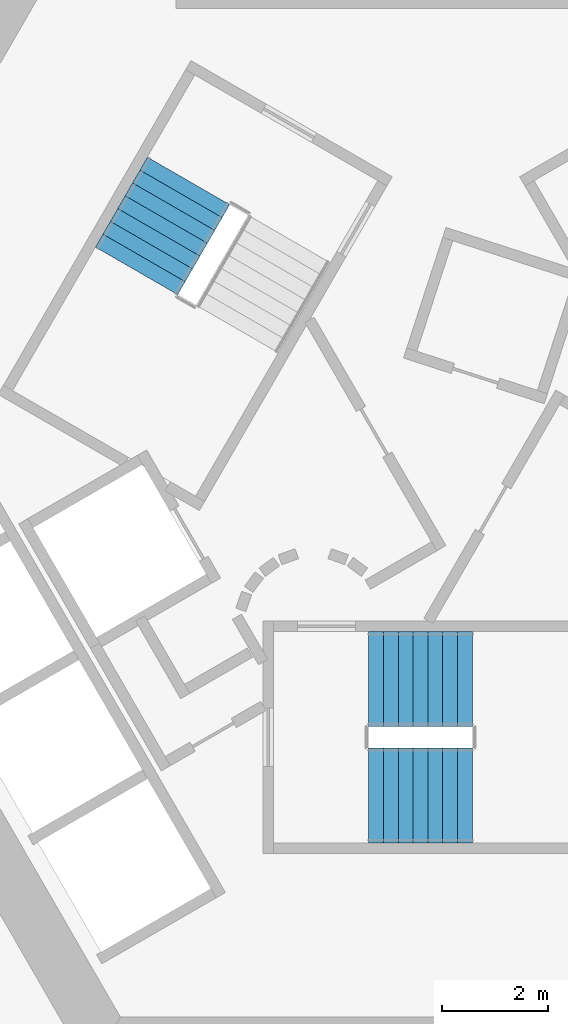
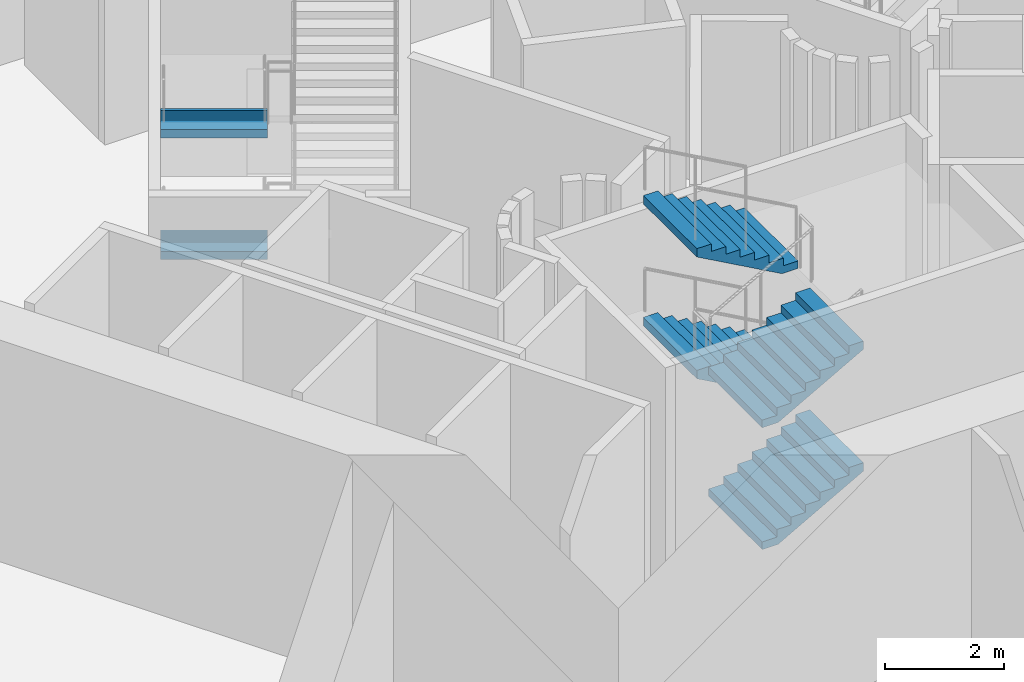
# One storey, part 10 of 16: 6 stair flights, 2 elements without a shape of their own.
"""IFC4 building model written with IfcOpenShell, lengths in metres."""

from ifc_helpers import new_model, si_unit, direction, frame, origin, place, context, subcontext, project, spatial, triangles, material, type_object, element, aggregate, save


model = new_model("IFC4")

# Units and contexts
model_context = context("Model", 3, precision=1e-05, world=origin(), true_north=direction((0.0, 1.0)))
body_context = subcontext(model_context, "Body", "Model", "MODEL_VIEW")
ifc_project = project(units=[si_unit("LENGTHUNIT", "METRE"), si_unit("AREAUNIT", "SQUARE_METRE"), si_unit("VOLUMEUNIT", "CUBIC_METRE"), si_unit("PLANEANGLEUNIT", "RADIAN"), si_unit("MASSUNIT", "GRAM", prefix="KILO")], contexts=[model_context])

# Site, building, storey
site_placement = place(None, origin())
site = spatial("IfcSite", under=ifc_project, at=site_placement, CompositionType="ELEMENT")
building_placement = place(site_placement, origin())
building = spatial("IfcBuilding", under=site, at=building_placement, Name="Entoto Arch Interchange Tower", CompositionType="ELEMENT")
storey_placement = place(building_placement, frame((0.0, 0.0, 15.0)))
storey = spatial("IfcBuildingStorey", under=building, at=storey_placement, Name="L02", CompositionType="ELEMENT", Elevation=15.0)

# Stair, stair flights
ifc_material = material(Name="Concrete C40/50", Category="concrete")
stair_type = type_object("IfcStairType", Name="EXIT STAIR RC 1800", PredefinedType="HALF_TURN_STAIR", material=ifc_material)
stair_1_placement = place(storey_placement, origin())
stair_1 = element("IfcStair", 1, at=stair_1_placement, inside=storey, type_object=stair_type, Name="L02 Exit stair S", PredefinedType="HALF_TURN_STAIR")
stair_flight_type = type_object("IfcStairFlightType", Name="EXIT STAIR FLIGHT RC 1800", PredefinedType="STRAIGHT", material=ifc_material)
stair_flight_1_placement = place(storey_placement, frame((-1.64990234375, -4.300048828125, 0.0), z_axis=(0.0, 0.0, 1.0), x_axis=(1.0, 0.0, 0.0)))
stair_flight_1 = element("IfcStairFlight", 2, at=stair_flight_1_placement, type_object=stair_flight_type, Name="ST-S flight 1", NumberOfRisers=8, NumberOfTreads=7, PredefinedType="STRAIGHT", RiserHeight=0.15625, TreadLength=0.28, context=body_context, shape_type="Tessellation", body=[
    triangles([(-0.003, -0.900024, 0.0), (-0.003, -0.900024, 0.15625), (0.28, -0.900024, 0.15625), (0.28, -0.900024, 0.3125), (0.56, -0.900024, 0.3125), (0.56, -0.900024, 0.46875), (0.84, -0.900024, 0.46875), (0.84, -0.900024, 0.625), (1.12, -0.900024, 0.625), (1.12, -0.900024, 0.78125), (1.4, -0.900024, 0.78125), (1.4, -0.900024, 0.9375), (1.68, -0.900024, 0.9375), (1.68, -0.900024, 1.09375), (1.96, -0.900024, 1.09375), (1.963, -0.900024, 1.09375), (1.963, -0.900024, 0.923761), (0.30762, -0.900024, 0.0), (-0.003, 0.900024, 0.0), (-0.003, 0.900024, 0.15625), (0.28, 0.900024, 0.15625), (0.28, 0.900024, 0.3125), (0.56, 0.900024, 0.3125), (0.56, 0.900024, 0.46875), (0.84, 0.900024, 0.46875), (0.84, 0.900024, 0.625), (1.12, 0.900024, 0.625), (1.12, 0.900024, 0.78125), (1.4, 0.900024, 0.78125), (1.4, 0.900024, 0.9375), (1.68, 0.900024, 0.9375), (1.68, 0.900024, 1.09375), (1.96, 0.900024, 1.09375), (1.963, 0.900024, 1.09375), (1.963, 0.900024, 0.923761), (0.30762, 0.900024, 0.0), (-0.003, -0.450012, 0.0), (-0.003, -0.450012, 0.15625), (-0.003, 0.0, 0.0), (-0.003, 0.0, 0.15625), (-0.003, 0.450012, 0.0), (-0.003, 0.450012, 0.15625), (0.28, -0.450012, 0.15625), (0.28, 0.0, 0.15625), (0.28, 0.450012, 0.15625), (0.28, -0.450012, 0.3125), (0.28, 0.0, 0.3125), (0.28, 0.450012, 0.3125), (0.56, -0.450012, 0.3125), (0.56, 0.0, 0.3125), (0.56, 0.450012, 0.3125), (0.56, -0.450012, 0.46875), (0.56, 0.0, 0.46875), (0.56, 0.450012, 0.46875), (0.84, -0.450012, 0.46875), (0.84, 0.0, 0.46875), (0.84, 0.450012, 0.46875), (0.84, -0.450012, 0.625), (0.84, 0.0, 0.625), (0.84, 0.450012, 0.625), (1.12, -0.450012, 0.625), (1.12, 0.0, 0.625), (1.12, 0.450012, 0.625), (1.12, -0.450012, 0.78125), (1.12, 0.0, 0.78125), (1.12, 0.450012, 0.78125), (1.4, -0.450012, 0.78125), (1.4, 0.0, 0.78125), (1.4, 0.450012, 0.78125), (1.4, -0.450012, 0.9375), (1.4, 0.0, 0.9375), (1.4, 0.450012, 0.9375), (1.68, -0.450012, 0.9375), (1.68, 0.0, 0.9375), (1.68, 0.450012, 0.9375), (1.68, -0.450012, 1.09375), (1.68, 0.0, 1.09375), (1.68, 0.450012, 1.09375), (1.96, -0.450012, 1.09375), (1.96, 0.0, 1.09375), (1.96, 0.450012, 1.09375), (1.963, -0.450012, 1.09375), (1.963, 0.0, 1.09375), (1.963, 0.450012, 1.09375), (1.963, -0.450012, 0.923761), (1.963, 0.0, 0.923761), (1.963, 0.450012, 0.923761), (0.30762, -0.450012, 0.0), (0.30762, 0.0, 0.0), (0.30762, 0.450012, 0.0)], [[1, 18, 17], [17, 16, 15], [17, 15, 14], [17, 14, 13], [17, 13, 12], [17, 12, 11], [11, 10, 9], [17, 11, 9], [9, 8, 7], [17, 9, 7], [7, 6, 5], [17, 7, 5], [5, 4, 3], [17, 5, 3], [1, 17, 3], [3, 2, 1], [19, 35, 36], [35, 33, 34], [35, 32, 33], [35, 31, 32], [35, 30, 31], [35, 29, 30], [29, 27, 28], [35, 27, 29], [27, 25, 26], [35, 25, 27], [25, 23, 24], [35, 23, 25], [23, 21, 22], [35, 21, 23], [19, 21, 35], [21, 19, 20], [1, 2, 38], [1, 38, 37], [37, 38, 40], [37, 40, 39], [39, 40, 42], [39, 42, 41], [41, 42, 20], [41, 20, 19], [2, 3, 43], [2, 43, 38], [38, 43, 44], [38, 44, 40], [40, 44, 45], [40, 45, 42], [42, 45, 21], [42, 21, 20], [3, 4, 46], [3, 46, 43], [43, 46, 47], [43, 47, 44], [44, 47, 48], [44, 48, 45], [45, 48, 22], [45, 22, 21], [4, 5, 49], [4, 49, 46], [46, 49, 50], [46, 50, 47], [47, 50, 51], [47, 51, 48], [48, 51, 23], [48, 23, 22], [5, 6, 52], [5, 52, 49], [49, 52, 53], [49, 53, 50], [50, 53, 54], [50, 54, 51], [51, 54, 24], [51, 24, 23], [6, 7, 55], [6, 55, 52], [52, 55, 56], [52, 56, 53], [53, 56, 57], [53, 57, 54], [54, 57, 25], [54, 25, 24], [7, 8, 58], [7, 58, 55], [55, 58, 59], [55, 59, 56], [56, 59, 60], [56, 60, 57], [57, 60, 26], [57, 26, 25], [8, 9, 61], [8, 61, 58], [58, 61, 62], [58, 62, 59], [59, 62, 63], [59, 63, 60], [60, 63, 27], [60, 27, 26], [9, 10, 64], [9, 64, 61], [61, 64, 65], [61, 65, 62], [62, 65, 66], [62, 66, 63], [63, 66, 28], [63, 28, 27], [10, 11, 67], [10, 67, 64], [64, 67, 68], [64, 68, 65], [65, 68, 69], [65, 69, 66], [66, 69, 29], [66, 29, 28], [11, 12, 70], [11, 70, 67], [67, 70, 71], [67, 71, 68], [68, 71, 72], [68, 72, 69], [69, 72, 30], [69, 30, 29], [12, 13, 73], [12, 73, 70], [70, 73, 74], [70, 74, 71], [71, 74, 75], [71, 75, 72], [72, 75, 31], [72, 31, 30], [13, 14, 76], [13, 76, 73], [73, 76, 77], [73, 77, 74], [74, 77, 78], [74, 78, 75], [75, 78, 32], [75, 32, 31], [14, 15, 79], [14, 79, 76], [76, 79, 80], [76, 80, 77], [77, 80, 81], [77, 81, 78], [78, 81, 33], [78, 33, 32], [15, 16, 82], [15, 82, 79], [79, 82, 83], [79, 83, 80], [80, 83, 84], [80, 84, 81], [81, 84, 34], [81, 34, 33], [16, 17, 85], [16, 85, 82], [82, 85, 86], [82, 86, 83], [83, 86, 87], [83, 87, 84], [84, 87, 35], [84, 35, 34], [17, 18, 88], [17, 88, 85], [85, 88, 89], [85, 89, 86], [86, 89, 90], [86, 90, 87], [87, 90, 36], [87, 36, 35], [18, 1, 37], [18, 37, 88], [88, 37, 39], [88, 39, 89], [89, 39, 41], [89, 41, 90], [90, 41, 19], [90, 19, 36]], closed=True),
])
stair_flight_2_placement = place(storey_placement, frame((0.31005859375, -2.10009765625, 1.25), z_axis=(0.0, 0.0, 1.0), x_axis=(-1.0, 0.0, 0.0)))
stair_flight_2 = element("IfcStairFlight", 3, at=stair_flight_2_placement, type_object=stair_flight_type, Name="ST-S flight 2", NumberOfRisers=8, NumberOfTreads=7, PredefinedType="STRAIGHT", RiserHeight=0.15625, TreadLength=0.28, context=body_context, shape_type="Tessellation", body=[
    triangles([(-0.003, -0.900024, 0.0), (-0.003, -0.900024, 0.15625), (0.28, -0.900024, 0.15625), (0.28, -0.900024, 0.3125), (0.56, -0.900024, 0.3125), (0.56, -0.900024, 0.46875), (0.84, -0.900024, 0.46875), (0.84, -0.900024, 0.625), (1.12, -0.900024, 0.625), (1.12, -0.900024, 0.78125), (1.4, -0.900024, 0.78125), (1.4, -0.900024, 0.9375), (1.68, -0.900024, 0.9375), (1.68, -0.900024, 1.09375), (1.96, -0.900024, 1.09375), (1.963, -0.900024, 1.09375), (1.963, -0.900024, 0.923761), (0.30762, -0.900024, 0.0), (-0.003, 0.900024, 0.0), (-0.003, 0.900024, 0.15625), (0.28, 0.900024, 0.15625), (0.28, 0.900024, 0.3125), (0.56, 0.900024, 0.3125), (0.56, 0.900024, 0.46875), (0.84, 0.900024, 0.46875), (0.84, 0.900024, 0.625), (1.12, 0.900024, 0.625), (1.12, 0.900024, 0.78125), (1.4, 0.900024, 0.78125), (1.4, 0.900024, 0.9375), (1.68, 0.900024, 0.9375), (1.68, 0.900024, 1.09375), (1.96, 0.900024, 1.09375), (1.963, 0.900024, 1.09375), (1.963, 0.900024, 0.923761), (0.30762, 0.900024, 0.0), (-0.003, -0.450012, 0.0), (-0.003, -0.450012, 0.15625), (-0.003, 0.0, 0.0), (-0.003, 0.0, 0.15625), (-0.003, 0.450012, 0.0), (-0.003, 0.450012, 0.15625), (0.28, -0.450012, 0.15625), (0.28, 0.0, 0.15625), (0.28, 0.450012, 0.15625), (0.28, -0.450012, 0.3125), (0.28, 0.0, 0.3125), (0.28, 0.450012, 0.3125), (0.56, -0.450012, 0.3125), (0.56, 0.0, 0.3125), (0.56, 0.450012, 0.3125), (0.56, -0.450012, 0.46875), (0.56, 0.0, 0.46875), (0.56, 0.450012, 0.46875), (0.84, -0.450012, 0.46875), (0.84, 0.0, 0.46875), (0.84, 0.450012, 0.46875), (0.84, -0.450012, 0.625), (0.84, 0.0, 0.625), (0.84, 0.450012, 0.625), (1.12, -0.450012, 0.625), (1.12, 0.0, 0.625), (1.12, 0.450012, 0.625), (1.12, -0.450012, 0.78125), (1.12, 0.0, 0.78125), (1.12, 0.450012, 0.78125), (1.4, -0.450012, 0.78125), (1.4, 0.0, 0.78125), (1.4, 0.450012, 0.78125), (1.4, -0.450012, 0.9375), (1.4, 0.0, 0.9375), (1.4, 0.450012, 0.9375), (1.68, -0.450012, 0.9375), (1.68, 0.0, 0.9375), (1.68, 0.450012, 0.9375), (1.68, -0.450012, 1.09375), (1.68, 0.0, 1.09375), (1.68, 0.450012, 1.09375), (1.96, -0.450012, 1.09375), (1.96, 0.0, 1.09375), (1.96, 0.450012, 1.09375), (1.963, -0.450012, 1.09375), (1.963, 0.0, 1.09375), (1.963, 0.450012, 1.09375), (1.963, -0.450012, 0.923761), (1.963, 0.0, 0.923761), (1.963, 0.450012, 0.923761), (0.30762, -0.450012, 0.0), (0.30762, 0.0, 0.0), (0.30762, 0.450012, 0.0)], [[1, 18, 17], [17, 16, 15], [17, 15, 14], [17, 14, 13], [17, 13, 12], [17, 12, 11], [11, 10, 9], [17, 11, 9], [9, 8, 7], [17, 9, 7], [7, 6, 5], [17, 7, 5], [5, 4, 3], [17, 5, 3], [1, 17, 3], [3, 2, 1], [19, 35, 36], [35, 33, 34], [35, 32, 33], [35, 31, 32], [35, 30, 31], [35, 29, 30], [29, 27, 28], [35, 27, 29], [27, 25, 26], [35, 25, 27], [25, 23, 24], [35, 23, 25], [23, 21, 22], [35, 21, 23], [19, 21, 35], [21, 19, 20], [1, 2, 38], [1, 38, 37], [37, 38, 40], [37, 40, 39], [39, 40, 42], [39, 42, 41], [41, 42, 20], [41, 20, 19], [2, 3, 43], [2, 43, 38], [38, 43, 44], [38, 44, 40], [40, 44, 45], [40, 45, 42], [42, 45, 21], [42, 21, 20], [3, 4, 46], [3, 46, 43], [43, 46, 47], [43, 47, 44], [44, 47, 48], [44, 48, 45], [45, 48, 22], [45, 22, 21], [4, 5, 49], [4, 49, 46], [46, 49, 50], [46, 50, 47], [47, 50, 51], [47, 51, 48], [48, 51, 23], [48, 23, 22], [5, 6, 52], [5, 52, 49], [49, 52, 53], [49, 53, 50], [50, 53, 54], [50, 54, 51], [51, 54, 24], [51, 24, 23], [6, 7, 55], [6, 55, 52], [52, 55, 56], [52, 56, 53], [53, 56, 57], [53, 57, 54], [54, 57, 25], [54, 25, 24], [7, 8, 58], [7, 58, 55], [55, 58, 59], [55, 59, 56], [56, 59, 60], [56, 60, 57], [57, 60, 26], [57, 26, 25], [8, 9, 61], [8, 61, 58], [58, 61, 62], [58, 62, 59], [59, 62, 63], [59, 63, 60], [60, 63, 27], [60, 27, 26], [9, 10, 64], [9, 64, 61], [61, 64, 65], [61, 65, 62], [62, 65, 66], [62, 66, 63], [63, 66, 28], [63, 28, 27], [10, 11, 67], [10, 67, 64], [64, 67, 68], [64, 68, 65], [65, 68, 69], [65, 69, 66], [66, 69, 29], [66, 29, 28], [11, 12, 70], [11, 70, 67], [67, 70, 71], [67, 71, 68], [68, 71, 72], [68, 72, 69], [69, 72, 30], [69, 30, 29], [12, 13, 73], [12, 73, 70], [70, 73, 74], [70, 74, 71], [71, 74, 75], [71, 75, 72], [72, 75, 31], [72, 31, 30], [13, 14, 76], [13, 76, 73], [73, 76, 77], [73, 77, 74], [74, 77, 78], [74, 78, 75], [75, 78, 32], [75, 32, 31], [14, 15, 79], [14, 79, 76], [76, 79, 80], [76, 80, 77], [77, 80, 81], [77, 81, 78], [78, 81, 33], [78, 33, 32], [15, 16, 82], [15, 82, 79], [79, 82, 83], [79, 83, 80], [80, 83, 84], [80, 84, 81], [81, 84, 34], [81, 34, 33], [16, 17, 85], [16, 85, 82], [82, 85, 86], [82, 86, 83], [83, 86, 87], [83, 87, 84], [84, 87, 35], [84, 35, 34], [17, 18, 88], [17, 88, 85], [85, 88, 89], [85, 89, 86], [86, 89, 90], [86, 90, 87], [87, 90, 36], [87, 36, 35], [18, 1, 37], [18, 37, 88], [88, 37, 39], [88, 39, 89], [89, 39, 41], [89, 41, 90], [90, 41, 19], [90, 19, 36]], closed=True),
])
stair_flight_3_placement = place(storey_placement, frame((-1.64990234375, -4.300048828125, 2.5), z_axis=(0.0, 0.0, 1.0), x_axis=(1.0, 0.0, 0.0)))
stair_flight_3 = element("IfcStairFlight", 4, at=stair_flight_3_placement, type_object=stair_flight_type, Name="ST-S flight 3", NumberOfRisers=8, NumberOfTreads=7, PredefinedType="STRAIGHT", RiserHeight=0.15625, TreadLength=0.28, context=body_context, shape_type="Tessellation", body=[
    triangles([(-0.003, -0.900024, 0.0), (-0.003, -0.900024, 0.15625), (0.28, -0.900024, 0.15625), (0.28, -0.900024, 0.3125), (0.56, -0.900024, 0.3125), (0.56, -0.900024, 0.46875), (0.84, -0.900024, 0.46875), (0.84, -0.900024, 0.625), (1.12, -0.900024, 0.625), (1.12, -0.900024, 0.78125), (1.4, -0.900024, 0.78125), (1.4, -0.900024, 0.9375), (1.68, -0.900024, 0.9375), (1.68, -0.900024, 1.09375), (1.96, -0.900024, 1.09375), (1.963, -0.900024, 1.09375), (1.963, -0.900024, 0.923761), (0.30762, -0.900024, 0.0), (-0.003, 0.900024, 0.0), (-0.003, 0.900024, 0.15625), (0.28, 0.900024, 0.15625), (0.28, 0.900024, 0.3125), (0.56, 0.900024, 0.3125), (0.56, 0.900024, 0.46875), (0.84, 0.900024, 0.46875), (0.84, 0.900024, 0.625), (1.12, 0.900024, 0.625), (1.12, 0.900024, 0.78125), (1.4, 0.900024, 0.78125), (1.4, 0.900024, 0.9375), (1.68, 0.900024, 0.9375), (1.68, 0.900024, 1.09375), (1.96, 0.900024, 1.09375), (1.963, 0.900024, 1.09375), (1.963, 0.900024, 0.923761), (0.30762, 0.900024, 0.0), (-0.003, -0.450012, 0.0), (-0.003, -0.450012, 0.15625), (-0.003, 0.0, 0.0), (-0.003, 0.0, 0.15625), (-0.003, 0.450012, 0.0), (-0.003, 0.450012, 0.15625), (0.28, -0.450012, 0.15625), (0.28, 0.0, 0.15625), (0.28, 0.450012, 0.15625), (0.28, -0.450012, 0.3125), (0.28, 0.0, 0.3125), (0.28, 0.450012, 0.3125), (0.56, -0.450012, 0.3125), (0.56, 0.0, 0.3125), (0.56, 0.450012, 0.3125), (0.56, -0.450012, 0.46875), (0.56, 0.0, 0.46875), (0.56, 0.450012, 0.46875), (0.84, -0.450012, 0.46875), (0.84, 0.0, 0.46875), (0.84, 0.450012, 0.46875), (0.84, -0.450012, 0.625), (0.84, 0.0, 0.625), (0.84, 0.450012, 0.625), (1.12, -0.450012, 0.625), (1.12, 0.0, 0.625), (1.12, 0.450012, 0.625), (1.12, -0.450012, 0.78125), (1.12, 0.0, 0.78125), (1.12, 0.450012, 0.78125), (1.4, -0.450012, 0.78125), (1.4, 0.0, 0.78125), (1.4, 0.450012, 0.78125), (1.4, -0.450012, 0.9375), (1.4, 0.0, 0.9375), (1.4, 0.450012, 0.9375), (1.68, -0.450012, 0.9375), (1.68, 0.0, 0.9375), (1.68, 0.450012, 0.9375), (1.68, -0.450012, 1.09375), (1.68, 0.0, 1.09375), (1.68, 0.450012, 1.09375), (1.96, -0.450012, 1.09375), (1.96, 0.0, 1.09375), (1.96, 0.450012, 1.09375), (1.963, -0.450012, 1.09375), (1.963, 0.0, 1.09375), (1.963, 0.450012, 1.09375), (1.963, -0.450012, 0.923761), (1.963, 0.0, 0.923761), (1.963, 0.450012, 0.923761), (0.30762, -0.450012, 0.0), (0.30762, 0.0, 0.0), (0.30762, 0.450012, 0.0)], [[1, 18, 17], [17, 16, 15], [17, 15, 14], [17, 14, 13], [17, 13, 12], [17, 12, 11], [11, 10, 9], [17, 11, 9], [9, 8, 7], [17, 9, 7], [7, 6, 5], [17, 7, 5], [5, 4, 3], [17, 5, 3], [1, 17, 3], [3, 2, 1], [19, 35, 36], [35, 33, 34], [35, 32, 33], [35, 31, 32], [35, 30, 31], [35, 29, 30], [29, 27, 28], [35, 27, 29], [27, 25, 26], [35, 25, 27], [25, 23, 24], [35, 23, 25], [23, 21, 22], [35, 21, 23], [19, 21, 35], [21, 19, 20], [1, 2, 38], [1, 38, 37], [37, 38, 40], [37, 40, 39], [39, 40, 42], [39, 42, 41], [41, 42, 20], [41, 20, 19], [2, 3, 43], [2, 43, 38], [38, 43, 44], [38, 44, 40], [40, 44, 45], [40, 45, 42], [42, 45, 21], [42, 21, 20], [3, 4, 46], [3, 46, 43], [43, 46, 47], [43, 47, 44], [44, 47, 48], [44, 48, 45], [45, 48, 22], [45, 22, 21], [4, 5, 49], [4, 49, 46], [46, 49, 50], [46, 50, 47], [47, 50, 51], [47, 51, 48], [48, 51, 23], [48, 23, 22], [5, 6, 52], [5, 52, 49], [49, 52, 53], [49, 53, 50], [50, 53, 54], [50, 54, 51], [51, 54, 24], [51, 24, 23], [6, 7, 55], [6, 55, 52], [52, 55, 56], [52, 56, 53], [53, 56, 57], [53, 57, 54], [54, 57, 25], [54, 25, 24], [7, 8, 58], [7, 58, 55], [55, 58, 59], [55, 59, 56], [56, 59, 60], [56, 60, 57], [57, 60, 26], [57, 26, 25], [8, 9, 61], [8, 61, 58], [58, 61, 62], [58, 62, 59], [59, 62, 63], [59, 63, 60], [60, 63, 27], [60, 27, 26], [9, 10, 64], [9, 64, 61], [61, 64, 65], [61, 65, 62], [62, 65, 66], [62, 66, 63], [63, 66, 28], [63, 28, 27], [10, 11, 67], [10, 67, 64], [64, 67, 68], [64, 68, 65], [65, 68, 69], [65, 69, 66], [66, 69, 29], [66, 29, 28], [11, 12, 70], [11, 70, 67], [67, 70, 71], [67, 71, 68], [68, 71, 72], [68, 72, 69], [69, 72, 30], [69, 30, 29], [12, 13, 73], [12, 73, 70], [70, 73, 74], [70, 74, 71], [71, 74, 75], [71, 75, 72], [72, 75, 31], [72, 31, 30], [13, 14, 76], [13, 76, 73], [73, 76, 77], [73, 77, 74], [74, 77, 78], [74, 78, 75], [75, 78, 32], [75, 32, 31], [14, 15, 79], [14, 79, 76], [76, 79, 80], [76, 80, 77], [77, 80, 81], [77, 81, 78], [78, 81, 33], [78, 33, 32], [15, 16, 82], [15, 82, 79], [79, 82, 83], [79, 83, 80], [80, 83, 84], [80, 84, 81], [81, 84, 34], [81, 34, 33], [16, 17, 85], [16, 85, 82], [82, 85, 86], [82, 86, 83], [83, 86, 87], [83, 87, 84], [84, 87, 35], [84, 35, 34], [17, 18, 88], [17, 88, 85], [85, 88, 89], [85, 89, 86], [86, 89, 90], [86, 90, 87], [87, 90, 36], [87, 36, 35], [18, 1, 37], [18, 37, 88], [88, 37, 39], [88, 39, 89], [89, 39, 41], [89, 41, 90], [90, 41, 19], [90, 19, 36]], closed=True),
])
stair_flight_4_placement = place(storey_placement, frame((0.31005859375, -2.10009765625, 3.75), z_axis=(0.0, 0.0, 1.0), x_axis=(-1.0, 0.0, 0.0)))
stair_flight_4 = element("IfcStairFlight", 5, at=stair_flight_4_placement, type_object=stair_flight_type, Name="ST-S flight 4", NumberOfRisers=8, NumberOfTreads=7, PredefinedType="STRAIGHT", RiserHeight=0.15625, TreadLength=0.28, context=body_context, shape_type="Tessellation", body=[
    triangles([(-0.003, -0.900024, 0.0), (-0.003, -0.900024, 0.15625), (0.28, -0.900024, 0.15625), (0.28, -0.900024, 0.3125), (0.56, -0.900024, 0.3125), (0.56, -0.900024, 0.46875), (0.84, -0.900024, 0.46875), (0.84, -0.900024, 0.625), (1.12, -0.900024, 0.625), (1.12, -0.900024, 0.78125), (1.4, -0.900024, 0.78125), (1.4, -0.900024, 0.9375), (1.68, -0.900024, 0.9375), (1.68, -0.900024, 1.09375), (1.96, -0.900024, 1.09375), (1.963, -0.900024, 1.09375), (1.963, -0.900024, 0.923761), (0.30762, -0.900024, 0.0), (-0.003, 0.900024, 0.0), (-0.003, 0.900024, 0.15625), (0.28, 0.900024, 0.15625), (0.28, 0.900024, 0.3125), (0.56, 0.900024, 0.3125), (0.56, 0.900024, 0.46875), (0.84, 0.900024, 0.46875), (0.84, 0.900024, 0.625), (1.12, 0.900024, 0.625), (1.12, 0.900024, 0.78125), (1.4, 0.900024, 0.78125), (1.4, 0.900024, 0.9375), (1.68, 0.900024, 0.9375), (1.68, 0.900024, 1.09375), (1.96, 0.900024, 1.09375), (1.963, 0.900024, 1.09375), (1.963, 0.900024, 0.923761), (0.30762, 0.900024, 0.0), (-0.003, -0.450012, 0.0), (-0.003, -0.450012, 0.15625), (-0.003, 0.0, 0.0), (-0.003, 0.0, 0.15625), (-0.003, 0.450012, 0.0), (-0.003, 0.450012, 0.15625), (0.28, -0.450012, 0.15625), (0.28, 0.0, 0.15625), (0.28, 0.450012, 0.15625), (0.28, -0.450012, 0.3125), (0.28, 0.0, 0.3125), (0.28, 0.450012, 0.3125), (0.56, -0.450012, 0.3125), (0.56, 0.0, 0.3125), (0.56, 0.450012, 0.3125), (0.56, -0.450012, 0.46875), (0.56, 0.0, 0.46875), (0.56, 0.450012, 0.46875), (0.84, -0.450012, 0.46875), (0.84, 0.0, 0.46875), (0.84, 0.450012, 0.46875), (0.84, -0.450012, 0.625), (0.84, 0.0, 0.625), (0.84, 0.450012, 0.625), (1.12, -0.450012, 0.625), (1.12, 0.0, 0.625), (1.12, 0.450012, 0.625), (1.12, -0.450012, 0.78125), (1.12, 0.0, 0.78125), (1.12, 0.450012, 0.78125), (1.4, -0.450012, 0.78125), (1.4, 0.0, 0.78125), (1.4, 0.450012, 0.78125), (1.4, -0.450012, 0.9375), (1.4, 0.0, 0.9375), (1.4, 0.450012, 0.9375), (1.68, -0.450012, 0.9375), (1.68, 0.0, 0.9375), (1.68, 0.450012, 0.9375), (1.68, -0.450012, 1.09375), (1.68, 0.0, 1.09375), (1.68, 0.450012, 1.09375), (1.96, -0.450012, 1.09375), (1.96, 0.0, 1.09375), (1.96, 0.450012, 1.09375), (1.963, -0.450012, 1.09375), (1.963, 0.0, 1.09375), (1.963, 0.450012, 1.09375), (1.963, -0.450012, 0.923761), (1.963, 0.0, 0.923761), (1.963, 0.450012, 0.923761), (0.30762, -0.450012, 0.0), (0.30762, 0.0, 0.0), (0.30762, 0.450012, 0.0)], [[1, 18, 17], [17, 16, 15], [17, 15, 14], [17, 14, 13], [17, 13, 12], [17, 12, 11], [11, 10, 9], [17, 11, 9], [9, 8, 7], [17, 9, 7], [7, 6, 5], [17, 7, 5], [5, 4, 3], [17, 5, 3], [1, 17, 3], [3, 2, 1], [19, 35, 36], [35, 33, 34], [35, 32, 33], [35, 31, 32], [35, 30, 31], [35, 29, 30], [29, 27, 28], [35, 27, 29], [27, 25, 26], [35, 25, 27], [25, 23, 24], [35, 23, 25], [23, 21, 22], [35, 21, 23], [19, 21, 35], [21, 19, 20], [1, 2, 38], [1, 38, 37], [37, 38, 40], [37, 40, 39], [39, 40, 42], [39, 42, 41], [41, 42, 20], [41, 20, 19], [2, 3, 43], [2, 43, 38], [38, 43, 44], [38, 44, 40], [40, 44, 45], [40, 45, 42], [42, 45, 21], [42, 21, 20], [3, 4, 46], [3, 46, 43], [43, 46, 47], [43, 47, 44], [44, 47, 48], [44, 48, 45], [45, 48, 22], [45, 22, 21], [4, 5, 49], [4, 49, 46], [46, 49, 50], [46, 50, 47], [47, 50, 51], [47, 51, 48], [48, 51, 23], [48, 23, 22], [5, 6, 52], [5, 52, 49], [49, 52, 53], [49, 53, 50], [50, 53, 54], [50, 54, 51], [51, 54, 24], [51, 24, 23], [6, 7, 55], [6, 55, 52], [52, 55, 56], [52, 56, 53], [53, 56, 57], [53, 57, 54], [54, 57, 25], [54, 25, 24], [7, 8, 58], [7, 58, 55], [55, 58, 59], [55, 59, 56], [56, 59, 60], [56, 60, 57], [57, 60, 26], [57, 26, 25], [8, 9, 61], [8, 61, 58], [58, 61, 62], [58, 62, 59], [59, 62, 63], [59, 63, 60], [60, 63, 27], [60, 27, 26], [9, 10, 64], [9, 64, 61], [61, 64, 65], [61, 65, 62], [62, 65, 66], [62, 66, 63], [63, 66, 28], [63, 28, 27], [10, 11, 67], [10, 67, 64], [64, 67, 68], [64, 68, 65], [65, 68, 69], [65, 69, 66], [66, 69, 29], [66, 29, 28], [11, 12, 70], [11, 70, 67], [67, 70, 71], [67, 71, 68], [68, 71, 72], [68, 72, 69], [69, 72, 30], [69, 30, 29], [12, 13, 73], [12, 73, 70], [70, 73, 74], [70, 74, 71], [71, 74, 75], [71, 75, 72], [72, 75, 31], [72, 31, 30], [13, 14, 76], [13, 76, 73], [73, 76, 77], [73, 77, 74], [74, 77, 78], [74, 78, 75], [75, 78, 32], [75, 32, 31], [14, 15, 79], [14, 79, 76], [76, 79, 80], [76, 80, 77], [77, 80, 81], [77, 81, 78], [78, 81, 33], [78, 33, 32], [15, 16, 82], [15, 82, 79], [79, 82, 83], [79, 83, 80], [80, 83, 84], [80, 84, 81], [81, 84, 34], [81, 34, 33], [16, 17, 85], [16, 85, 82], [82, 85, 86], [82, 86, 83], [83, 86, 87], [83, 87, 84], [84, 87, 35], [84, 35, 34], [17, 18, 88], [17, 88, 85], [85, 88, 89], [85, 89, 86], [86, 89, 90], [86, 90, 87], [87, 90, 36], [87, 36, 35], [18, 1, 37], [18, 37, 88], [88, 37, 39], [88, 39, 89], [89, 39, 41], [89, 41, 90], [90, 41, 19], [90, 19, 36]], closed=True),
])
aggregate(stair_1, [stair_flight_1, stair_flight_2, stair_flight_3, stair_flight_4])

stair_2_placement = place(storey_placement, origin())
stair_2 = element("IfcStair", 6, at=stair_2_placement, inside=storey, type_object=stair_type, Name="L02 Exit stair NW", PredefinedType="HALF_TURN_STAIR")
stair_flight_5_placement = place(storey_placement, frame((-5.06396484375, 7.328857421875, 0.0), z_axis=(0.0, 0.0, 1.0), x_axis=(-0.5, -0.866025403784, 0.0)))
stair_flight_5 = element("IfcStairFlight", 7, at=stair_flight_5_placement, type_object=stair_flight_type, Name="ST-NW flight 1", NumberOfRisers=8, NumberOfTreads=7, PredefinedType="STRAIGHT", RiserHeight=0.15625, TreadLength=0.28, context=body_context, shape_type="Tessellation", body=[
    triangles([(-0.003, -0.900024, 0.0), (-0.003, -0.900024, 0.15625), (0.28, -0.900024, 0.15625), (0.28, -0.900024, 0.3125), (0.56, -0.900024, 0.3125), (0.56, -0.900024, 0.46875), (0.84, -0.900024, 0.46875), (0.84, -0.900024, 0.625), (1.12, -0.900024, 0.625), (1.12, -0.900024, 0.78125), (1.4, -0.900024, 0.78125), (1.4, -0.900024, 0.9375), (1.68, -0.900024, 0.9375), (1.68, -0.900024, 1.09375), (1.96, -0.900024, 1.09375), (1.963, -0.900024, 1.09375), (1.963, -0.900024, 0.923761), (0.30762, -0.900024, 0.0), (-0.003, 0.900024, 0.0), (-0.003, 0.900024, 0.15625), (0.28, 0.900024, 0.15625), (0.28, 0.900024, 0.3125), (0.56, 0.900024, 0.3125), (0.56, 0.900024, 0.46875), (0.84, 0.900024, 0.46875), (0.84, 0.900024, 0.625), (1.12, 0.900024, 0.625), (1.12, 0.900024, 0.78125), (1.4, 0.900024, 0.78125), (1.4, 0.900024, 0.9375), (1.68, 0.900024, 0.9375), (1.68, 0.900024, 1.09375), (1.96, 0.900024, 1.09375), (1.963, 0.900024, 1.09375), (1.963, 0.900024, 0.923761), (0.30762, 0.900024, 0.0), (-0.003, -0.450012, 0.0), (-0.003, -0.450012, 0.15625), (-0.003, 0.0, 0.0), (-0.003, 0.0, 0.15625), (-0.003, 0.450012, 0.0), (-0.003, 0.450012, 0.15625), (0.28, -0.450012, 0.15625), (0.28, 0.0, 0.15625), (0.28, 0.450012, 0.15625), (0.28, -0.450012, 0.3125), (0.28, 0.0, 0.3125), (0.28, 0.450012, 0.3125), (0.56, -0.450012, 0.3125), (0.56, 0.0, 0.3125), (0.56, 0.450012, 0.3125), (0.56, -0.450012, 0.46875), (0.56, 0.0, 0.46875), (0.56, 0.450012, 0.46875), (0.84, -0.450012, 0.46875), (0.84, 0.0, 0.46875), (0.84, 0.450012, 0.46875), (0.84, -0.450012, 0.625), (0.84, 0.0, 0.625), (0.84, 0.450012, 0.625), (1.12, -0.450012, 0.625), (1.12, 0.0, 0.625), (1.12, 0.450012, 0.625), (1.12, -0.450012, 0.78125), (1.12, 0.0, 0.78125), (1.12, 0.450012, 0.78125), (1.4, -0.450012, 0.78125), (1.4, 0.0, 0.78125), (1.4, 0.450012, 0.78125), (1.4, -0.450012, 0.9375), (1.4, 0.0, 0.9375), (1.4, 0.450012, 0.9375), (1.68, -0.450012, 0.9375), (1.68, 0.0, 0.9375), (1.68, 0.450012, 0.9375), (1.68, -0.450012, 1.09375), (1.68, 0.0, 1.09375), (1.68, 0.450012, 1.09375), (1.96, -0.450012, 1.09375), (1.96, 0.0, 1.09375), (1.96, 0.450012, 1.09375), (1.963, -0.450012, 1.09375), (1.963, 0.0, 1.09375), (1.963, 0.450012, 1.09375), (1.963, -0.450012, 0.923761), (1.963, 0.0, 0.923761), (1.963, 0.450012, 0.923761), (0.30762, -0.450012, 0.0), (0.30762, 0.0, 0.0), (0.30762, 0.450012, 0.0)], [[1, 18, 17], [17, 16, 15], [17, 15, 14], [17, 14, 13], [17, 13, 12], [17, 12, 11], [11, 10, 9], [17, 11, 9], [9, 8, 7], [17, 9, 7], [7, 6, 5], [17, 7, 5], [5, 4, 3], [17, 5, 3], [1, 17, 3], [3, 2, 1], [19, 35, 36], [35, 33, 34], [35, 32, 33], [35, 31, 32], [35, 30, 31], [35, 29, 30], [29, 27, 28], [35, 27, 29], [27, 25, 26], [35, 25, 27], [25, 23, 24], [35, 23, 25], [23, 21, 22], [35, 21, 23], [19, 21, 35], [21, 19, 20], [1, 2, 38], [1, 38, 37], [37, 38, 40], [37, 40, 39], [39, 40, 42], [39, 42, 41], [41, 42, 20], [41, 20, 19], [2, 3, 43], [2, 43, 38], [38, 43, 44], [38, 44, 40], [40, 44, 45], [40, 45, 42], [42, 45, 21], [42, 21, 20], [3, 4, 46], [3, 46, 43], [43, 46, 47], [43, 47, 44], [44, 47, 48], [44, 48, 45], [45, 48, 22], [45, 22, 21], [4, 5, 49], [4, 49, 46], [46, 49, 50], [46, 50, 47], [47, 50, 51], [47, 51, 48], [48, 51, 23], [48, 23, 22], [5, 6, 52], [5, 52, 49], [49, 52, 53], [49, 53, 50], [50, 53, 54], [50, 54, 51], [51, 54, 24], [51, 24, 23], [6, 7, 55], [6, 55, 52], [52, 55, 56], [52, 56, 53], [53, 56, 57], [53, 57, 54], [54, 57, 25], [54, 25, 24], [7, 8, 58], [7, 58, 55], [55, 58, 59], [55, 59, 56], [56, 59, 60], [56, 60, 57], [57, 60, 26], [57, 26, 25], [8, 9, 61], [8, 61, 58], [58, 61, 62], [58, 62, 59], [59, 62, 63], [59, 63, 60], [60, 63, 27], [60, 27, 26], [9, 10, 64], [9, 64, 61], [61, 64, 65], [61, 65, 62], [62, 65, 66], [62, 66, 63], [63, 66, 28], [63, 28, 27], [10, 11, 67], [10, 67, 64], [64, 67, 68], [64, 68, 65], [65, 68, 69], [65, 69, 66], [66, 69, 29], [66, 29, 28], [11, 12, 70], [11, 70, 67], [67, 70, 71], [67, 71, 68], [68, 71, 72], [68, 72, 69], [69, 72, 30], [69, 30, 29], [12, 13, 73], [12, 73, 70], [70, 73, 74], [70, 74, 71], [71, 74, 75], [71, 75, 72], [72, 75, 31], [72, 31, 30], [13, 14, 76], [13, 76, 73], [73, 76, 77], [73, 77, 74], [74, 77, 78], [74, 78, 75], [75, 78, 32], [75, 32, 31], [14, 15, 79], [14, 79, 76], [76, 79, 80], [76, 80, 77], [77, 80, 81], [77, 81, 78], [78, 81, 33], [78, 33, 32], [15, 16, 82], [15, 82, 79], [79, 82, 83], [79, 83, 80], [80, 83, 84], [80, 84, 81], [81, 84, 34], [81, 34, 33], [16, 17, 85], [16, 85, 82], [82, 85, 86], [82, 86, 83], [83, 86, 87], [83, 87, 84], [84, 87, 35], [84, 35, 34], [17, 18, 88], [17, 88, 85], [85, 88, 89], [85, 89, 86], [86, 89, 90], [86, 90, 87], [87, 90, 36], [87, 36, 35], [18, 1, 37], [18, 37, 88], [88, 37, 39], [88, 39, 89], [89, 39, 41], [89, 41, 90], [90, 41, 19], [90, 19, 36]], closed=True),
])
stair_flight_6_placement = place(storey_placement, frame((-5.06396484375, 7.328857421875, 2.5), z_axis=(0.0, 0.0, 1.0), x_axis=(-0.5, -0.866025403784, 0.0)))
stair_flight_6 = element("IfcStairFlight", 8, at=stair_flight_6_placement, type_object=stair_flight_type, Name="ST-NW flight 3", NumberOfRisers=8, NumberOfTreads=7, PredefinedType="STRAIGHT", RiserHeight=0.15625, TreadLength=0.28, context=body_context, shape_type="Tessellation", body=[
    triangles([(-0.003, -0.900024, 0.0), (-0.003, -0.900024, 0.15625), (0.28, -0.900024, 0.15625), (0.28, -0.900024, 0.3125), (0.56, -0.900024, 0.3125), (0.56, -0.900024, 0.46875), (0.84, -0.900024, 0.46875), (0.84, -0.900024, 0.625), (1.12, -0.900024, 0.625), (1.12, -0.900024, 0.78125), (1.4, -0.900024, 0.78125), (1.4, -0.900024, 0.9375), (1.68, -0.900024, 0.9375), (1.68, -0.900024, 1.09375), (1.96, -0.900024, 1.09375), (1.963, -0.900024, 1.09375), (1.963, -0.900024, 0.923761), (0.30762, -0.900024, 0.0), (-0.003, 0.900024, 0.0), (-0.003, 0.900024, 0.15625), (0.28, 0.900024, 0.15625), (0.28, 0.900024, 0.3125), (0.56, 0.900024, 0.3125), (0.56, 0.900024, 0.46875), (0.84, 0.900024, 0.46875), (0.84, 0.900024, 0.625), (1.12, 0.900024, 0.625), (1.12, 0.900024, 0.78125), (1.4, 0.900024, 0.78125), (1.4, 0.900024, 0.9375), (1.68, 0.900024, 0.9375), (1.68, 0.900024, 1.09375), (1.96, 0.900024, 1.09375), (1.963, 0.900024, 1.09375), (1.963, 0.900024, 0.923761), (0.30762, 0.900024, 0.0), (-0.003, -0.450012, 0.0), (-0.003, -0.450012, 0.15625), (-0.003, 0.0, 0.0), (-0.003, 0.0, 0.15625), (-0.003, 0.450012, 0.0), (-0.003, 0.450012, 0.15625), (0.28, -0.450012, 0.15625), (0.28, 0.0, 0.15625), (0.28, 0.450012, 0.15625), (0.28, -0.450012, 0.3125), (0.28, 0.0, 0.3125), (0.28, 0.450012, 0.3125), (0.56, -0.450012, 0.3125), (0.56, 0.0, 0.3125), (0.56, 0.450012, 0.3125), (0.56, -0.450012, 0.46875), (0.56, 0.0, 0.46875), (0.56, 0.450012, 0.46875), (0.84, -0.450012, 0.46875), (0.84, 0.0, 0.46875), (0.84, 0.450012, 0.46875), (0.84, -0.450012, 0.625), (0.84, 0.0, 0.625), (0.84, 0.450012, 0.625), (1.12, -0.450012, 0.625), (1.12, 0.0, 0.625), (1.12, 0.450012, 0.625), (1.12, -0.450012, 0.78125), (1.12, 0.0, 0.78125), (1.12, 0.450012, 0.78125), (1.4, -0.450012, 0.78125), (1.4, 0.0, 0.78125), (1.4, 0.450012, 0.78125), (1.4, -0.450012, 0.9375), (1.4, 0.0, 0.9375), (1.4, 0.450012, 0.9375), (1.68, -0.450012, 0.9375), (1.68, 0.0, 0.9375), (1.68, 0.450012, 0.9375), (1.68, -0.450012, 1.09375), (1.68, 0.0, 1.09375), (1.68, 0.450012, 1.09375), (1.96, -0.450012, 1.09375), (1.96, 0.0, 1.09375), (1.96, 0.450012, 1.09375), (1.963, -0.450012, 1.09375), (1.963, 0.0, 1.09375), (1.963, 0.450012, 1.09375), (1.963, -0.450012, 0.923761), (1.963, 0.0, 0.923761), (1.963, 0.450012, 0.923761), (0.30762, -0.450012, 0.0), (0.30762, 0.0, 0.0), (0.30762, 0.450012, 0.0)], [[1, 18, 17], [17, 16, 15], [17, 15, 14], [17, 14, 13], [17, 13, 12], [17, 12, 11], [11, 10, 9], [17, 11, 9], [9, 8, 7], [17, 9, 7], [7, 6, 5], [17, 7, 5], [5, 4, 3], [17, 5, 3], [1, 17, 3], [3, 2, 1], [19, 35, 36], [35, 33, 34], [35, 32, 33], [35, 31, 32], [35, 30, 31], [35, 29, 30], [29, 27, 28], [35, 27, 29], [27, 25, 26], [35, 25, 27], [25, 23, 24], [35, 23, 25], [23, 21, 22], [35, 21, 23], [19, 21, 35], [21, 19, 20], [1, 2, 38], [1, 38, 37], [37, 38, 40], [37, 40, 39], [39, 40, 42], [39, 42, 41], [41, 42, 20], [41, 20, 19], [2, 3, 43], [2, 43, 38], [38, 43, 44], [38, 44, 40], [40, 44, 45], [40, 45, 42], [42, 45, 21], [42, 21, 20], [3, 4, 46], [3, 46, 43], [43, 46, 47], [43, 47, 44], [44, 47, 48], [44, 48, 45], [45, 48, 22], [45, 22, 21], [4, 5, 49], [4, 49, 46], [46, 49, 50], [46, 50, 47], [47, 50, 51], [47, 51, 48], [48, 51, 23], [48, 23, 22], [5, 6, 52], [5, 52, 49], [49, 52, 53], [49, 53, 50], [50, 53, 54], [50, 54, 51], [51, 54, 24], [51, 24, 23], [6, 7, 55], [6, 55, 52], [52, 55, 56], [52, 56, 53], [53, 56, 57], [53, 57, 54], [54, 57, 25], [54, 25, 24], [7, 8, 58], [7, 58, 55], [55, 58, 59], [55, 59, 56], [56, 59, 60], [56, 60, 57], [57, 60, 26], [57, 26, 25], [8, 9, 61], [8, 61, 58], [58, 61, 62], [58, 62, 59], [59, 62, 63], [59, 63, 60], [60, 63, 27], [60, 27, 26], [9, 10, 64], [9, 64, 61], [61, 64, 65], [61, 65, 62], [62, 65, 66], [62, 66, 63], [63, 66, 28], [63, 28, 27], [10, 11, 67], [10, 67, 64], [64, 67, 68], [64, 68, 65], [65, 68, 69], [65, 69, 66], [66, 69, 29], [66, 29, 28], [11, 12, 70], [11, 70, 67], [67, 70, 71], [67, 71, 68], [68, 71, 72], [68, 72, 69], [69, 72, 30], [69, 30, 29], [12, 13, 73], [12, 73, 70], [70, 73, 74], [70, 74, 71], [71, 74, 75], [71, 75, 72], [72, 75, 31], [72, 31, 30], [13, 14, 76], [13, 76, 73], [73, 76, 77], [73, 77, 74], [74, 77, 78], [74, 78, 75], [75, 78, 32], [75, 32, 31], [14, 15, 79], [14, 79, 76], [76, 79, 80], [76, 80, 77], [77, 80, 81], [77, 81, 78], [78, 81, 33], [78, 33, 32], [15, 16, 82], [15, 82, 79], [79, 82, 83], [79, 83, 80], [80, 83, 84], [80, 84, 81], [81, 84, 34], [81, 34, 33], [16, 17, 85], [16, 85, 82], [82, 85, 86], [82, 86, 83], [83, 86, 87], [83, 87, 84], [84, 87, 35], [84, 35, 34], [17, 18, 88], [17, 88, 85], [85, 88, 89], [85, 89, 86], [86, 89, 90], [86, 90, 87], [87, 90, 36], [87, 36, 35], [18, 1, 37], [18, 37, 88], [88, 37, 39], [88, 39, 89], [89, 39, 41], [89, 41, 90], [90, 41, 19], [90, 19, 36]], closed=True),
])
aggregate(stair_2, [stair_flight_5, stair_flight_6])

save(model, "model.ifc")
